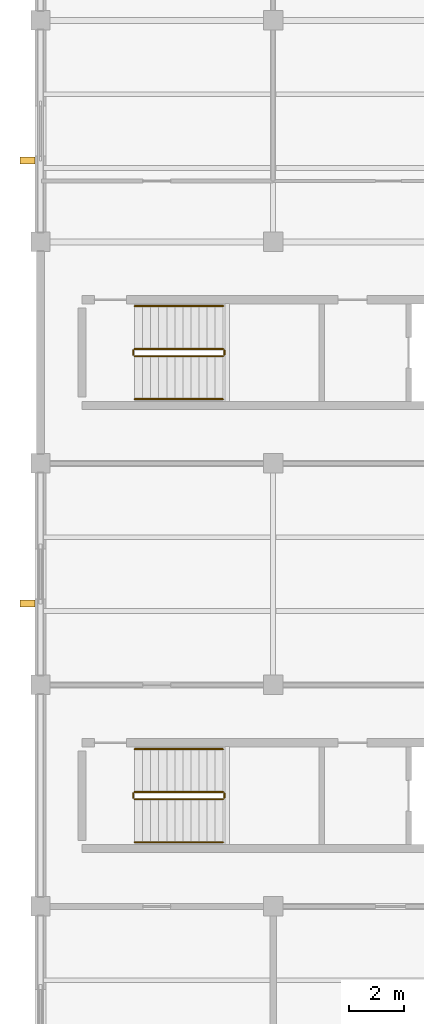
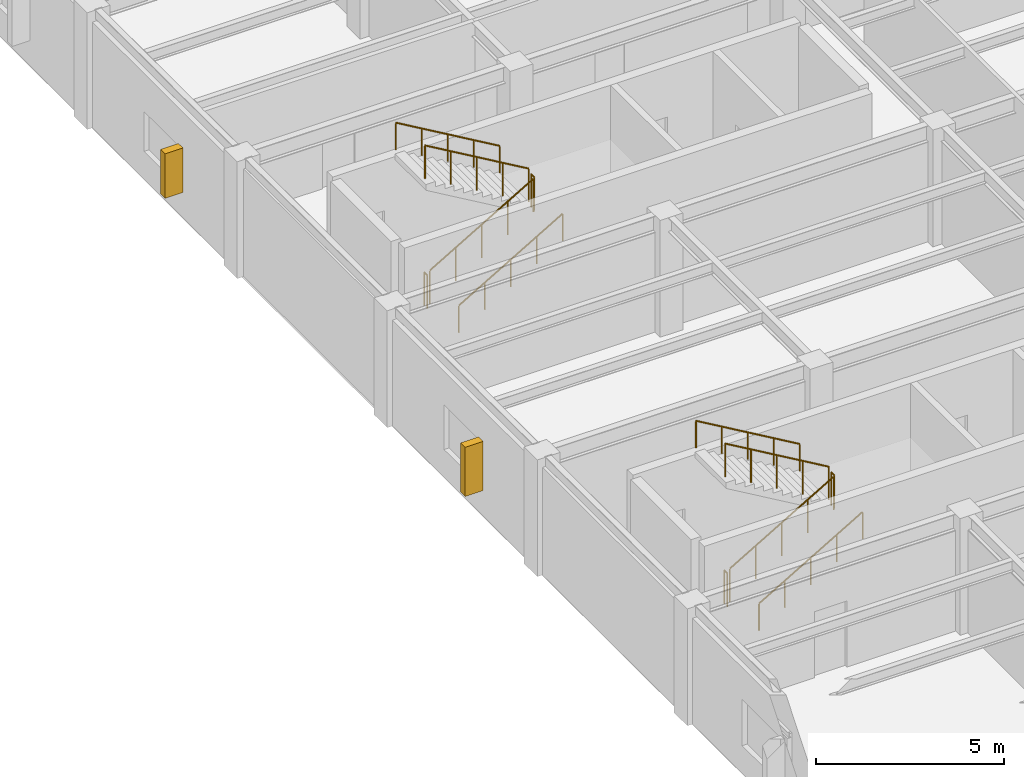
# One storey, part 133 of 138: 12 railings, 2 shading devices.
"""IFC4 building model written with IfcOpenShell, lengths in metres."""

from ifc_helpers import new_model, si_unit, direction, frame, origin, origin_2d, place, context, subcontext, project, spatial, rectangle, circle, extrude, material, type_object, element, save


model = new_model("IFC4")

# Units and contexts
model_context = context("Model", 3, precision=1e-05, world=origin(), true_north=direction((0.0, 1.0)))
body_context = subcontext(model_context, "Body", "Model", "MODEL_VIEW")
ifc_project = project(units=[si_unit("LENGTHUNIT", "METRE"), si_unit("AREAUNIT", "SQUARE_METRE"), si_unit("VOLUMEUNIT", "CUBIC_METRE"), si_unit("PLANEANGLEUNIT", "RADIAN"), si_unit("MASSUNIT", "GRAM", prefix="KILO")], contexts=[model_context])

# Site, building, storey
site_placement = place(None, origin())
site = spatial("IfcSite", under=ifc_project, at=site_placement, CompositionType="ELEMENT")
building_placement = place(site_placement, origin())
building = spatial("IfcBuilding", under=site, at=building_placement, Name="Kranzveld Transit Interchange", CompositionType="ELEMENT")
storey_placement = place(building_placement, frame((0.0, 0.0, 5.43994140625)))
storey = spatial("IfcBuildingStorey", under=building, at=storey_placement, Name="L01", CompositionType="ELEMENT", Elevation=5.43994140625)

# Shading devices
ifc_material_1 = material(Name="Bronze-anodised thermally broken aluminium", Category="aluminium")
shading_device_type = type_object("IfcShadingDeviceType", Name="East-West Deep Clinker Solar Fin", PredefinedType="USERDEFINED", material=ifc_material_1)
shading_device_1_placement = place(storey_placement, frame((-0.465087890625, 74.93994140625, 0.824951171875), z_axis=(0.0, 0.0, 1.0), x_axis=(0.0, 1.0, 0.0)))
element("IfcShadingDevice", 1, at=shading_device_1_placement, inside=storey, type_object=shading_device_type, Name="L01 Vertical Solar Fin 01/K", ObjectType="SOLAR FIN", PredefinedType="USERDEFINED", context=body_context, shape_type="SweptSolid", body=[
    extrude(rectangle(XDim=0.239990234375, YDim=0.550048828125, at=origin_2d()), origin(), (0.0, 0.0, 1.0), 1.60009765625),
])
shading_device_2_placement = place(storey_placement, frame((-0.465087890625, 90.93994140625, 0.8251953125), z_axis=(0.0, 0.0, 1.0), x_axis=(0.0, 1.0, 0.0)))
element("IfcShadingDevice", 2, at=shading_device_2_placement, inside=storey, type_object=shading_device_type, Name="L01 Vertical Solar Fin 01/M", ObjectType="SOLAR FIN", PredefinedType="USERDEFINED", context=body_context, shape_type="SweptSolid", body=[
    extrude(rectangle(XDim=0.239990234375, YDim=0.550048828125, at=origin_2d()), origin(), (0.0, 0.0, 1.0), 1.449951171875),
])

# Railings
ifc_material_2 = material(Name="Steel S355JR", Category="steel")
railing_type_1 = type_object("IfcRailingType", Name="Stair & Ramp Handrail Steel 900", PredefinedType="HANDRAIL", material=ifc_material_2)
railing_1_placement = place(storey_placement, frame((3.39990234375, 66.320068359375, 0.170166015625)))
element("IfcRailing", 3, at=railing_1_placement, inside=storey, type_object=railing_type_1, Name="L01 ST-C1 stair handrail 1", PredefinedType="HANDRAIL", context=body_context, shape_type="SweptSolid", body=[
    extrude(circle(Radius=0.02392578125, at=origin_2d()), frame((0.0, 0.0, 0.8759765625), z_axis=(0.862725780356, 0.0, 0.505672055693), x_axis=(0.0, 1.0, 0.0)), (0.0, 0.0, 1.0), 3.69775390625),
    extrude(circle(Radius=0.02099609375, at=origin_2d()), origin(), (0.0, 0.0, 1.0), 0.849853515625),
    extrude(circle(Radius=0.02099609375, at=origin_2d()), frame((0.797607421875, 0.0, 0.467529296875)), (0.0, 0.0, 1.0), 0.849853515625),
    extrude(circle(Radius=0.02099609375, at=origin_2d()), frame((1.59521484375, 0.0, 0.93505859375)), (0.0, 0.0, 1.0), 0.849853515625),
    extrude(circle(Radius=0.02099609375, at=origin_2d()), frame((2.392578125, 0.0, 1.40234375)), (0.0, 0.0, 1.0), 0.849853515625),
    extrude(circle(Radius=0.02099609375, at=origin_2d()), frame((3.190185546875, 0.0, 1.869873046875)), (0.0, 0.0, 1.0), 0.849853515625),
])
railing_2_placement = place(storey_placement, frame((6.590087890625, 69.679931640625, 2.2099609375)))
element("IfcRailing", 4, at=railing_2_placement, inside=storey, type_object=railing_type_1, Name="L01 ST-C1 stair handrail 2", PredefinedType="HANDRAIL", context=body_context, shape_type="SweptSolid", body=[
    extrude(circle(Radius=0.02392578125, at=origin_2d()), frame((0.0, 0.0, 0.8759765625), z_axis=(-0.862696976859, 0.0, 0.505721194057), x_axis=(0.0, -1.0, 0.0)), (0.0, 0.0, 1.0), 3.697998046875),
    extrude(circle(Radius=0.02099609375, at=origin_2d()), origin(), (0.0, 0.0, 1.0), 0.849853515625),
    extrude(circle(Radius=0.02099609375, at=origin_2d()), frame((-0.797607421875, 0.0, 0.467529296875)), (0.0, 0.0, 1.0), 0.849853515625),
    extrude(circle(Radius=0.02099609375, at=origin_2d()), frame((-1.59521484375, 0.0, 0.93505859375)), (0.0, 0.0, 1.0), 0.849853515625),
    extrude(circle(Radius=0.02099609375, at=origin_2d()), frame((-2.392578125, 0.0, 1.402587890625)), (0.0, 0.0, 1.0), 0.849853515625),
    extrude(circle(Radius=0.02099609375, at=origin_2d()), frame((-3.190185546875, 0.0, 1.8701171875)), (0.0, 0.0, 1.0), 0.849853515625),
])
railing_3_placement = place(storey_placement, frame((3.39990234375, 82.320068359375, 0.170166015625)))
element("IfcRailing", 5, at=railing_3_placement, inside=storey, type_object=railing_type_1, Name="L01 ST-C2 stair handrail 1", PredefinedType="HANDRAIL", context=body_context, shape_type="SweptSolid", body=[
    extrude(circle(Radius=0.02392578125, at=origin_2d()), frame((0.0, 0.0, 0.8759765625), z_axis=(0.862725780356, 0.0, 0.505672055693), x_axis=(0.0, 1.0, 0.0)), (0.0, 0.0, 1.0), 3.69775390625),
    extrude(circle(Radius=0.02099609375, at=origin_2d()), origin(), (0.0, 0.0, 1.0), 0.849853515625),
    extrude(circle(Radius=0.02099609375, at=origin_2d()), frame((0.797607421875, 0.0, 0.467529296875)), (0.0, 0.0, 1.0), 0.849853515625),
    extrude(circle(Radius=0.02099609375, at=origin_2d()), frame((1.59521484375, 0.0, 0.93505859375)), (0.0, 0.0, 1.0), 0.849853515625),
    extrude(circle(Radius=0.02099609375, at=origin_2d()), frame((2.392578125, 0.0, 1.40234375)), (0.0, 0.0, 1.0), 0.849853515625),
    extrude(circle(Radius=0.02099609375, at=origin_2d()), frame((3.190185546875, 0.0, 1.869873046875)), (0.0, 0.0, 1.0), 0.849853515625),
])
railing_4_placement = place(storey_placement, frame((6.590087890625, 85.679931640625, 2.2099609375)))
element("IfcRailing", 6, at=railing_4_placement, inside=storey, type_object=railing_type_1, Name="L01 ST-C2 stair handrail 2", PredefinedType="HANDRAIL", context=body_context, shape_type="SweptSolid", body=[
    extrude(circle(Radius=0.02392578125, at=origin_2d()), frame((0.0, 0.0, 0.8759765625), z_axis=(-0.862696976859, 0.0, 0.505721194057), x_axis=(0.0, -1.0, 0.0)), (0.0, 0.0, 1.0), 3.697998046875),
    extrude(circle(Radius=0.02099609375, at=origin_2d()), origin(), (0.0, 0.0, 1.0), 0.849853515625),
    extrude(circle(Radius=0.02099609375, at=origin_2d()), frame((-0.797607421875, 0.0, 0.467529296875)), (0.0, 0.0, 1.0), 0.849853515625),
    extrude(circle(Radius=0.02099609375, at=origin_2d()), frame((-1.59521484375, 0.0, 0.93505859375)), (0.0, 0.0, 1.0), 0.849853515625),
    extrude(circle(Radius=0.02099609375, at=origin_2d()), frame((-2.392578125, 0.0, 1.402587890625)), (0.0, 0.0, 1.0), 0.849853515625),
    extrude(circle(Radius=0.02099609375, at=origin_2d()), frame((-3.190185546875, 0.0, 1.8701171875)), (0.0, 0.0, 1.0), 0.849853515625),
])
ifc_material_3 = material(Name="Steel S355JR", Category="steel")
railing_type_2 = type_object("IfcRailingType", Name="Stair Well Guardrail Steel 1100", PredefinedType="GUARDRAIL", material=ifc_material_3)
railing_5_placement = place(storey_placement, frame((3.39990234375, 67.8701171875, 0.170166015625)))
element("IfcRailing", 7, at=railing_5_placement, inside=storey, type_object=railing_type_2, Name="L01 ST-C1 stair guard 1", PredefinedType="GUARDRAIL", context=body_context, shape_type="SweptSolid", body=[
    extrude(circle(Radius=0.02392578125, at=origin_2d()), frame((0.0, 0.0, 1.076171875), z_axis=(0.862725780356, 0.0, 0.505672055693), x_axis=(0.0, 1.0, 0.0)), (0.0, 0.0, 1.0), 3.69775390625),
    extrude(circle(Radius=0.02099609375, at=origin_2d()), origin(), (0.0, 0.0, 1.0), 1.050048828125),
    extrude(circle(Radius=0.02099609375, at=origin_2d()), frame((0.797607421875, 0.0, 0.467529296875)), (0.0, 0.0, 1.0), 1.050048828125),
    extrude(circle(Radius=0.02099609375, at=origin_2d()), frame((1.59521484375, 0.0, 0.93505859375)), (0.0, 0.0, 1.0), 1.050048828125),
    extrude(circle(Radius=0.02099609375, at=origin_2d()), frame((2.392578125, 0.0, 1.40234375)), (0.0, 0.0, 1.0), 1.050048828125),
    extrude(circle(Radius=0.02099609375, at=origin_2d()), frame((3.190185546875, 0.0, 1.869873046875)), (0.0, 0.0, 1.0), 1.050048828125),
])
railing_6_placement = place(storey_placement, frame((6.639892578125, 67.919921875, 2.0400390625)))
element("IfcRailing", 8, at=railing_6_placement, inside=storey, type_object=railing_type_2, Name="L01 ST-C1 stair guard 2", PredefinedType="GUARDRAIL", context=body_context, shape_type="SweptSolid", body=[
    extrude(circle(Radius=0.02392578125, at=origin_2d()), frame((0.0, 0.0, 1.076171875), z_axis=(0.0, 1.0, 0.0), x_axis=(-1.0, 0.0, 0.0)), (0.0, 0.0, 1.0), 0.16015625),
    extrude(circle(Radius=0.02099609375, at=origin_2d()), origin(), (0.0, 0.0, 1.0), 1.050048828125),
    extrude(circle(Radius=0.02099609375, at=origin_2d()), frame((0.0, 0.16015625, 0.0)), (0.0, 0.0, 1.0), 1.050048828125),
])
railing_7_placement = place(storey_placement, frame((6.590087890625, 68.1298828125, 2.2099609375)))
element("IfcRailing", 9, at=railing_7_placement, inside=storey, type_object=railing_type_2, Name="L01 ST-C1 stair guard 3", PredefinedType="GUARDRAIL", context=body_context, shape_type="SweptSolid", body=[
    extrude(circle(Radius=0.02392578125, at=origin_2d()), frame((0.0, 0.0, 1.076171875), z_axis=(-0.862696976859, 0.0, 0.505721194057), x_axis=(0.0, -1.0, 0.0)), (0.0, 0.0, 1.0), 3.697998046875),
    extrude(circle(Radius=0.02099609375, at=origin_2d()), origin(), (0.0, 0.0, 1.0), 1.050048828125),
    extrude(circle(Radius=0.02099609375, at=origin_2d()), frame((-0.797607421875, 0.0, 0.467529296875)), (0.0, 0.0, 1.0), 1.050048828125),
    extrude(circle(Radius=0.02099609375, at=origin_2d()), frame((-1.59521484375, 0.0, 0.93505859375)), (0.0, 0.0, 1.0), 1.050048828125),
    extrude(circle(Radius=0.02099609375, at=origin_2d()), frame((-2.392578125, 0.0, 1.402587890625)), (0.0, 0.0, 1.0), 1.050048828125),
    extrude(circle(Radius=0.02099609375, at=origin_2d()), frame((-3.190185546875, 0.0, 1.8701171875)), (0.0, 0.0, 1.0), 1.050048828125),
])
railing_8_placement = place(storey_placement, frame((3.35009765625, 67.919921875, 0.0)))
element("IfcRailing", 10, at=railing_8_placement, inside=storey, type_object=railing_type_2, Name="L01 ST-C1 stair guard 4", PredefinedType="GUARDRAIL", context=body_context, shape_type="SweptSolid", body=[
    extrude(circle(Radius=0.02392578125, at=origin_2d()), frame((0.0, 0.0, 1.076171875), z_axis=(0.0, 1.0, 0.0), x_axis=(-1.0, 0.0, 0.0)), (0.0, 0.0, 1.0), 0.16015625),
    extrude(circle(Radius=0.02099609375, at=origin_2d()), origin(), (0.0, 0.0, 1.0), 1.050048828125),
    extrude(circle(Radius=0.02099609375, at=origin_2d()), frame((0.0, 0.16015625, 0.0)), (0.0, 0.0, 1.0), 1.050048828125),
])
railing_9_placement = place(storey_placement, frame((3.39990234375, 83.8701171875, 0.170166015625)))
element("IfcRailing", 11, at=railing_9_placement, inside=storey, type_object=railing_type_2, Name="L01 ST-C2 stair guard 1", PredefinedType="GUARDRAIL", context=body_context, shape_type="SweptSolid", body=[
    extrude(circle(Radius=0.02392578125, at=origin_2d()), frame((0.0, 0.0, 1.076171875), z_axis=(0.862725780356, 0.0, 0.505672055693), x_axis=(0.0, 1.0, 0.0)), (0.0, 0.0, 1.0), 3.69775390625),
    extrude(circle(Radius=0.02099609375, at=origin_2d()), origin(), (0.0, 0.0, 1.0), 1.050048828125),
    extrude(circle(Radius=0.02099609375, at=origin_2d()), frame((0.797607421875, 0.0, 0.467529296875)), (0.0, 0.0, 1.0), 1.050048828125),
    extrude(circle(Radius=0.02099609375, at=origin_2d()), frame((1.59521484375, 0.0, 0.93505859375)), (0.0, 0.0, 1.0), 1.050048828125),
    extrude(circle(Radius=0.02099609375, at=origin_2d()), frame((2.392578125, 0.0, 1.40234375)), (0.0, 0.0, 1.0), 1.050048828125),
    extrude(circle(Radius=0.02099609375, at=origin_2d()), frame((3.190185546875, 0.0, 1.869873046875)), (0.0, 0.0, 1.0), 1.050048828125),
])
railing_10_placement = place(storey_placement, frame((6.639892578125, 83.919921875, 2.0400390625)))
element("IfcRailing", 12, at=railing_10_placement, inside=storey, type_object=railing_type_2, Name="L01 ST-C2 stair guard 2", PredefinedType="GUARDRAIL", context=body_context, shape_type="SweptSolid", body=[
    extrude(circle(Radius=0.02392578125, at=origin_2d()), frame((0.0, 0.0, 1.076171875), z_axis=(0.0, 1.0, 0.0), x_axis=(-1.0, 0.0, 0.0)), (0.0, 0.0, 1.0), 0.16015625),
    extrude(circle(Radius=0.02099609375, at=origin_2d()), origin(), (0.0, 0.0, 1.0), 1.050048828125),
    extrude(circle(Radius=0.02099609375, at=origin_2d()), frame((0.0, 0.16015625, 0.0)), (0.0, 0.0, 1.0), 1.050048828125),
])
railing_11_placement = place(storey_placement, frame((6.590087890625, 84.1298828125, 2.2099609375)))
element("IfcRailing", 13, at=railing_11_placement, inside=storey, type_object=railing_type_2, Name="L01 ST-C2 stair guard 3", PredefinedType="GUARDRAIL", context=body_context, shape_type="SweptSolid", body=[
    extrude(circle(Radius=0.02392578125, at=origin_2d()), frame((0.0, 0.0, 1.076171875), z_axis=(-0.862696976859, 0.0, 0.505721194057), x_axis=(0.0, -1.0, 0.0)), (0.0, 0.0, 1.0), 3.697998046875),
    extrude(circle(Radius=0.02099609375, at=origin_2d()), origin(), (0.0, 0.0, 1.0), 1.050048828125),
    extrude(circle(Radius=0.02099609375, at=origin_2d()), frame((-0.797607421875, 0.0, 0.467529296875)), (0.0, 0.0, 1.0), 1.050048828125),
    extrude(circle(Radius=0.02099609375, at=origin_2d()), frame((-1.59521484375, 0.0, 0.93505859375)), (0.0, 0.0, 1.0), 1.050048828125),
    extrude(circle(Radius=0.02099609375, at=origin_2d()), frame((-2.392578125, 0.0, 1.402587890625)), (0.0, 0.0, 1.0), 1.050048828125),
    extrude(circle(Radius=0.02099609375, at=origin_2d()), frame((-3.190185546875, 0.0, 1.8701171875)), (0.0, 0.0, 1.0), 1.050048828125),
])
railing_12_placement = place(storey_placement, frame((3.35009765625, 83.919921875, 0.0)))
element("IfcRailing", 14, at=railing_12_placement, inside=storey, type_object=railing_type_2, Name="L01 ST-C2 stair guard 4", PredefinedType="GUARDRAIL", context=body_context, shape_type="SweptSolid", body=[
    extrude(circle(Radius=0.02392578125, at=origin_2d()), frame((0.0, 0.0, 1.076171875), z_axis=(0.0, 1.0, 0.0), x_axis=(-1.0, 0.0, 0.0)), (0.0, 0.0, 1.0), 0.16015625),
    extrude(circle(Radius=0.02099609375, at=origin_2d()), origin(), (0.0, 0.0, 1.0), 1.050048828125),
    extrude(circle(Radius=0.02099609375, at=origin_2d()), frame((0.0, 0.16015625, 0.0)), (0.0, 0.0, 1.0), 1.050048828125),
])

save(model, "model.ifc")
